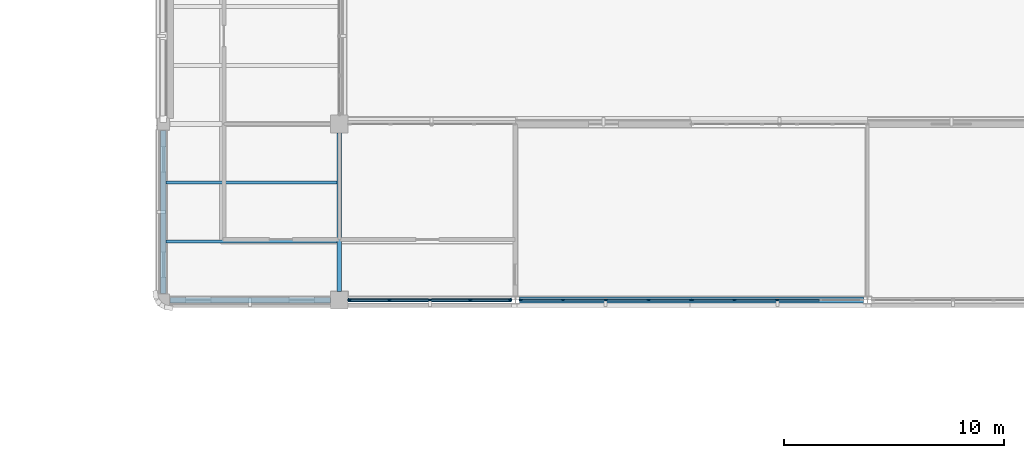
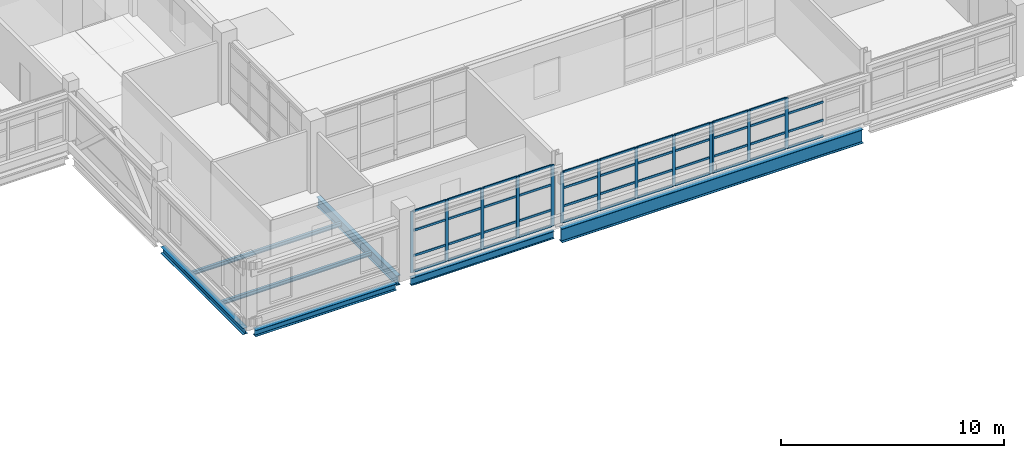
# One storey, part 18 of 107: 56 members, 7 beams, 3 elements without a shape of their own.
"""IFC4 building model written with IfcOpenShell, lengths in metres."""

from ifc_helpers import new_model, si_unit, derived_unit, direction, frame, origin, origin_2d, place, context, subcontext, project, spatial, rectangle, i_section, extrude, material, layer, layer_set, material_profile, profile_set, type_object, element, aggregate, save


model = new_model("IFC4")

# Units and contexts
model_context = context("Model", 3, precision=1e-05, world=origin(), true_north=direction((0.0, 1.0)))
body_context = subcontext(model_context, "Body", "Model", "MODEL_VIEW")
ifc_project = project(units=[si_unit("LENGTHUNIT", "METRE"), si_unit("AREAUNIT", "SQUARE_METRE"), si_unit("VOLUMEUNIT", "CUBIC_METRE"), si_unit("PLANEANGLEUNIT", "RADIAN"), si_unit("MASSUNIT", "GRAM", prefix="KILO"), derived_unit("THERMALTRANSMITTANCEUNIT", [(si_unit("MASSUNIT", "GRAM", prefix="KILO"), 1), (si_unit("TIMEUNIT", "SECOND"), -3), (si_unit("THERMODYNAMICTEMPERATUREUNIT", "KELVIN"), -1)])], contexts=[model_context])

# Site, building, storey
site_placement = place(None, origin())
site = spatial("IfcSite", under=ifc_project, at=site_placement, CompositionType="ELEMENT")
building_placement = place(site_placement, origin())
building = spatial("IfcBuilding", under=site, at=building_placement, Name="Veyamyaing Civic Hall", CompositionType="ELEMENT")
storey_placement = place(building_placement, frame((0.0, 0.0, 13.860107421875)))
storey = spatial("IfcBuildingStorey", under=building, at=storey_placement, Name="L03", CompositionType="ELEMENT", Elevation=13.860107421875)

# Beams
ifc_material_1 = material(Name="Steel ASTM A992", Category="steel")
ifc_material_profile_1 = material_profile(ifc_material_1, i_section(OverallWidth=0.208984375, OverallDepth=0.532958984375, WebThickness=0.01025390625, FlangeThickness=0.015625, FilletRadius=0.011962890625, at=origin_2d()), Name="W530X92")
ifc_profile_set_1 = profile_set([ifc_material_profile_1], Name="Steel ASTM A992")
beam_type_1 = type_object("IfcBeamType", Name="B-07", PredefinedType="BEAM", material=ifc_profile_set_1)
beam_1_placement = place(storey_placement, frame((72.0, 24.39990234375, -0.521728515625), z_axis=(0.0, 1.0, 0.0), x_axis=(-1.0, 0.0, 0.0)))
element("IfcBeam", 1, at=beam_1_placement, inside=storey, type_object=beam_type_1, Name="Girder B-07 L03 Grid 10 D-E", PredefinedType="BEAM", context=body_context, shape_type="SweptSolid", body=[
    extrude(i_section(OverallWidth=0.208984375, OverallDepth=0.532958984375, WebThickness=0.01025390625, FlangeThickness=0.015625, FilletRadius=0.011962890625, at=origin_2d()), origin(), (0.0, 0.0, 1.0), 7.2001953125),
])
ifc_material_profile_2 = material_profile(ifc_material_1, i_section(OverallWidth=0.179931640625, OverallDepth=0.4130859375, WebThickness=0.009765625, FlangeThickness=0.01611328125, FilletRadius=0.010009765625, at=origin_2d()), Name="W410X74")
ifc_profile_set_2 = profile_set([ifc_material_profile_2], Name="Steel ASTM A992")
beam_type_2 = type_object("IfcBeamType", Name="B-10", PredefinedType="SPANDREL", material=ifc_profile_set_2)
beam_2_placement = place(storey_placement, frame((72.39990234375, 24.0, -0.461669921875), z_axis=(1.0, 0.0, 0.0), x_axis=(0.0, 1.0, 0.0)))
element("IfcBeam", 2, at=beam_2_placement, inside=storey, type_object=beam_type_2, Name="Girder B-10 L03 Grid D 10-11", PredefinedType="SPANDREL", context=body_context, shape_type="SweptSolid", body=[
    extrude(i_section(OverallWidth=0.179931640625, OverallDepth=0.4130859375, WebThickness=0.009765625, FlangeThickness=0.01611328125, FilletRadius=0.010009765625, at=origin_2d()), origin(), (0.0, 0.0, 1.0), 7.41455078125),
])
ifc_material_profile_3 = material_profile(ifc_material_1, i_section(OverallWidth=0.26611328125, OverallDepth=0.758056640625, WebThickness=0.013916015625, FlangeThickness=0.019287109375, FilletRadius=0.01611328125, at=origin_2d()), Name="W760X161")
ifc_profile_set_3 = profile_set([ifc_material_profile_3], Name="Steel ASTM A992")
beam_type_3 = type_object("IfcBeamType", Name="B-13", PredefinedType="BEAM", material=ifc_profile_set_3)
beam_3_placement = place(storey_placement, frame((80.185546875, 24.0, -0.634033203125), z_axis=(1.0, 0.0, 0.0), x_axis=(0.0, 1.0, 0.0)))
element("IfcBeam", 3, at=beam_3_placement, inside=storey, type_object=beam_type_3, Name="Girder B-13 L03 Grid D 11-13", PredefinedType="BEAM", context=body_context, shape_type="SweptSolid", body=[
    extrude(i_section(OverallWidth=0.26611328125, OverallDepth=0.758056640625, WebThickness=0.013916015625, FlangeThickness=0.019287109375, FilletRadius=0.01611328125, at=origin_2d()), origin(), (0.0, 0.0, 1.0), 15.62890625),
])
ifc_material_profile_4 = material_profile(ifc_material_1, i_section(OverallWidth=0.25390625, OverallDepth=0.35302734375, WebThickness=0.009521484375, FlangeThickness=0.016357421875, FilletRadius=0.011962890625, at=origin_2d()), Name="W360X91")
ifc_profile_set_4 = profile_set([ifc_material_profile_4], Name="Steel ASTM A992")
beam_type_4 = type_object("IfcBeamType", Name="B-20", PredefinedType="SPANDREL", material=ifc_profile_set_4)
beam_4_placement = place(storey_placement, frame((64.300048828125, 24.0, -0.431640625), z_axis=(1.0, 0.0, 0.0), x_axis=(0.0, 1.0, 0.0)))
element("IfcBeam", 4, at=beam_4_placement, inside=storey, type_object=beam_type_4, Name="Girder B-20 L03 Grid D 9-10", PredefinedType="SPANDREL", context=body_context, shape_type="SweptSolid", body=[
    extrude(i_section(OverallWidth=0.25390625, OverallDepth=0.35302734375, WebThickness=0.009521484375, FlangeThickness=0.016357421875, FilletRadius=0.011962890625, at=origin_2d()), origin(), (0.0, 0.0, 1.0), 7.300048828125),
])
beam_5_placement = place(storey_placement, frame((64.0, 24.300048828125, -0.431640625), z_axis=(0.0, 1.0, 0.0), x_axis=(-1.0, 0.0, 0.0)))
element("IfcBeam", 5, at=beam_5_placement, inside=storey, type_object=beam_type_4, Name="Girder B-20 L03 Grid 9 D-E", PredefinedType="SPANDREL", context=body_context, shape_type="SweptSolid", body=[
    extrude(i_section(OverallWidth=0.25390625, OverallDepth=0.35302734375, WebThickness=0.009521484375, FlangeThickness=0.016357421875, FilletRadius=0.011962890625, at=origin_2d()), origin(), (0.0, 0.0, 1.0), 7.39990234375),
])

# Curtain wall, members
ifc_material_2 = material(Name="Anodised aluminium 6063-T6", Category="aluminium")
ifc_layer = layer(ifc_material_2, 0.159912109375, Name="Anodised aluminium 6063-T6")
ifc_layer_set = layer_set([ifc_layer], Name="Anodised aluminium 6063-T6")
curtain_wall_type = type_object("IfcCurtainWallType", Name="CW-07", PredefinedType="NOTDEFINED", material=ifc_layer_set)
curtain_wall_1_placement = place(storey_placement, origin())
curtain_wall_1 = element("IfcCurtainWall", 6, at=curtain_wall_1_placement, inside=storey, type_object=curtain_wall_type, Name="Unitized curtain wall CW-07 L03 S 10.4", PredefinedType="NOTDEFINED")
ifc_material_profile_5 = material_profile(ifc_material_2, rectangle(XDim=0.06494140625, YDim=0.159912109375, at=origin_2d()), Name="ALU-MUL-65X160")
ifc_profile_set_5 = profile_set([ifc_material_profile_5], Name="Anodised aluminium 6063-T6")
member_type_1 = type_object("IfcMemberType", Name="CWM-01", PredefinedType="MULLION", material=ifc_profile_set_5)
member_1_placement = place(storey_placement, frame((72.46240234375, 24.0, 0.0), z_axis=(0.0, 0.0, 1.0), x_axis=(0.0, 1.0, 0.0)))
member_1 = element("IfcMember", 7, at=member_1_placement, type_object=member_type_1, Name="CW-07 mullion 1", PredefinedType="MULLION", context=body_context, shape_type="SweptSolid", body=[
    extrude(rectangle(XDim=0.06494140625, YDim=0.159912109375, at=origin_2d()), origin(), (0.0, 0.0, 1.0), 3.36181640625),
])
member_2_placement = place(storey_placement, frame((74.268798828125, 24.0, 0.0), z_axis=(0.0, 0.0, 1.0), x_axis=(0.0, 1.0, 0.0)))
member_2 = element("IfcMember", 8, at=member_2_placement, type_object=member_type_1, Name="CW-07 mullion 2", PredefinedType="MULLION", context=body_context, shape_type="SweptSolid", body=[
    extrude(rectangle(XDim=0.06494140625, YDim=0.159912109375, at=origin_2d()), origin(), (0.0, 0.0, 1.0), 3.36181640625),
])
member_3_placement = place(storey_placement, frame((76.107666015625, 24.0, 0.0), z_axis=(0.0, 0.0, 1.0), x_axis=(0.0, 1.0, 0.0)))
member_3 = element("IfcMember", 9, at=member_3_placement, type_object=member_type_1, Name="CW-07 mullion 3", PredefinedType="MULLION", context=body_context, shape_type="SweptSolid", body=[
    extrude(rectangle(XDim=0.06494140625, YDim=0.159912109375, at=origin_2d()), origin(), (0.0, 0.0, 1.0), 3.36181640625),
])
member_4_placement = place(storey_placement, frame((77.946533203125, 24.0, 0.0), z_axis=(0.0, 0.0, 1.0), x_axis=(0.0, 1.0, 0.0)))
member_4 = element("IfcMember", 10, at=member_4_placement, type_object=member_type_1, Name="CW-07 mullion 4", PredefinedType="MULLION", context=body_context, shape_type="SweptSolid", body=[
    extrude(rectangle(XDim=0.06494140625, YDim=0.159912109375, at=origin_2d()), origin(), (0.0, 0.0, 1.0), 3.36181640625),
])
member_5_placement = place(storey_placement, frame((79.7529296875, 24.0, 0.0), z_axis=(0.0, 0.0, 1.0), x_axis=(0.0, 1.0, 0.0)))
member_5 = element("IfcMember", 11, at=member_5_placement, type_object=member_type_1, Name="CW-07 mullion 5", PredefinedType="MULLION", context=body_context, shape_type="SweptSolid", body=[
    extrude(rectangle(XDim=0.06494140625, YDim=0.159912109375, at=origin_2d()), origin(), (0.0, 0.0, 1.0), 3.36181640625),
])

curtain_wall_2_placement = place(storey_placement, origin())
curtain_wall_2 = element("IfcCurtainWall", 12, at=curtain_wall_2_placement, inside=storey, type_object=curtain_wall_type, Name="Unitized curtain wall CW-07 L03 S 11.4", PredefinedType="NOTDEFINED")
member_6_placement = place(storey_placement, frame((80.2470703125, 24.0, 0.0), z_axis=(0.0, 0.0, 1.0), x_axis=(0.0, 1.0, 0.0)))
member_6 = element("IfcMember", 13, at=member_6_placement, type_object=member_type_1, Name="CW-07 mullion 1", PredefinedType="MULLION", context=body_context, shape_type="SweptSolid", body=[
    extrude(rectangle(XDim=0.06494140625, YDim=0.159912109375, at=origin_2d()), origin(), (0.0, 0.0, 1.0), 2.788818359375),
])
member_7_placement = place(storey_placement, frame((82.160888671875, 24.0, 0.0), z_axis=(0.0, 0.0, 1.0), x_axis=(0.0, 1.0, 0.0)))
member_7 = element("IfcMember", 14, at=member_7_placement, type_object=member_type_1, Name="CW-07 mullion 2", PredefinedType="MULLION", context=body_context, shape_type="SweptSolid", body=[
    extrude(rectangle(XDim=0.06494140625, YDim=0.159912109375, at=origin_2d()), origin(), (0.0, 0.0, 1.0), 2.788818359375),
])
member_8_placement = place(storey_placement, frame((84.107177734375, 24.0, 0.0), z_axis=(0.0, 0.0, 1.0), x_axis=(0.0, 1.0, 0.0)))
member_8 = element("IfcMember", 15, at=member_8_placement, type_object=member_type_1, Name="CW-07 mullion 3", PredefinedType="MULLION", context=body_context, shape_type="SweptSolid", body=[
    extrude(rectangle(XDim=0.06494140625, YDim=0.159912109375, at=origin_2d()), origin(), (0.0, 0.0, 1.0), 2.788818359375),
])
member_9_placement = place(storey_placement, frame((86.0537109375, 24.0, 0.0), z_axis=(0.0, 0.0, 1.0), x_axis=(0.0, 1.0, 0.0)))
member_9 = element("IfcMember", 16, at=member_9_placement, type_object=member_type_1, Name="CW-07 mullion 4", PredefinedType="MULLION", context=body_context, shape_type="SweptSolid", body=[
    extrude(rectangle(XDim=0.06494140625, YDim=0.159912109375, at=origin_2d()), origin(), (0.0, 0.0, 1.0), 2.788818359375),
])
member_10_placement = place(storey_placement, frame((87.967529296875, 24.0, 0.0), z_axis=(0.0, 0.0, 1.0), x_axis=(0.0, 1.0, 0.0)))
member_10 = element("IfcMember", 17, at=member_10_placement, type_object=member_type_1, Name="CW-07 mullion 5", PredefinedType="MULLION", context=body_context, shape_type="SweptSolid", body=[
    extrude(rectangle(XDim=0.06494140625, YDim=0.159912109375, at=origin_2d()), origin(), (0.0, 0.0, 1.0), 2.788818359375),
])

curtain_wall_3_placement = place(storey_placement, origin())
curtain_wall_3 = element("IfcCurtainWall", 18, at=curtain_wall_3_placement, inside=storey, type_object=curtain_wall_type, Name="Unitized curtain wall CW-07 L03 S 12.4", PredefinedType="NOTDEFINED")
member_11_placement = place(storey_placement, frame((88.032470703125, 24.0, 0.0), z_axis=(0.0, 0.0, 1.0), x_axis=(0.0, 1.0, 0.0)))
member_11 = element("IfcMember", 19, at=member_11_placement, type_object=member_type_1, Name="CW-07 mullion 1", PredefinedType="MULLION", context=body_context, shape_type="SweptSolid", body=[
    extrude(rectangle(XDim=0.06494140625, YDim=0.159912109375, at=origin_2d()), origin(), (0.0, 0.0, 1.0), 2.788818359375),
])
member_12_placement = place(storey_placement, frame((89.9462890625, 24.0, 0.0), z_axis=(0.0, 0.0, 1.0), x_axis=(0.0, 1.0, 0.0)))
member_12 = element("IfcMember", 20, at=member_12_placement, type_object=member_type_1, Name="CW-07 mullion 2", PredefinedType="MULLION", context=body_context, shape_type="SweptSolid", body=[
    extrude(rectangle(XDim=0.06494140625, YDim=0.159912109375, at=origin_2d()), origin(), (0.0, 0.0, 1.0), 2.788818359375),
])
member_13_placement = place(storey_placement, frame((91.892822265625, 24.0, 0.0), z_axis=(0.0, 0.0, 1.0), x_axis=(0.0, 1.0, 0.0)))
member_13 = element("IfcMember", 21, at=member_13_placement, type_object=member_type_1, Name="CW-07 mullion 3", PredefinedType="MULLION", context=body_context, shape_type="SweptSolid", body=[
    extrude(rectangle(XDim=0.06494140625, YDim=0.159912109375, at=origin_2d()), origin(), (0.0, 0.0, 1.0), 2.788818359375),
])

# Member
ifc_material_profile_6 = material_profile(ifc_material_2, rectangle(XDim=0.06494140625, YDim=0.1201171875, at=origin_2d()), Name="ALU-TRN-65X120")
ifc_profile_set_6 = profile_set([ifc_material_profile_6], Name="Anodised aluminium 6063-T6")
member_type_2 = type_object("IfcMemberType", Name="CWT-01", PredefinedType="USERDEFINED", material=ifc_profile_set_6)
member_14_placement = place(storey_placement, frame((72.4951171875, 24.0, 0.032470703125), z_axis=(1.0, 0.0, 0.0), x_axis=(0.0, 1.0, 0.0)))
member_14 = element("IfcMember", 22, at=member_14_placement, type_object=member_type_2, Name="CW-07 transom 1.1", ObjectType="TRANSOM", PredefinedType="USERDEFINED", context=body_context, shape_type="SweptSolid", body=[
    extrude(rectangle(XDim=0.06494140625, YDim=0.1201171875, at=origin_2d()), origin(), (0.0, 0.0, 1.0), 1.7412109375),
])

member_15_placement = place(storey_placement, frame((72.4951171875, 24.0, 0.89990234375), z_axis=(1.0, 0.0, 0.0), x_axis=(0.0, 1.0, 0.0)))
member_15 = element("IfcMember", 23, at=member_15_placement, type_object=member_type_2, Name="CW-07 transom 1.2", ObjectType="TRANSOM", PredefinedType="USERDEFINED", context=body_context, shape_type="SweptSolid", body=[
    extrude(rectangle(XDim=0.06494140625, YDim=0.1201171875, at=origin_2d()), origin(), (0.0, 0.0, 1.0), 1.7412109375),
])

member_16_placement = place(storey_placement, frame((72.4951171875, 24.0, 2.2861328125), z_axis=(1.0, 0.0, 0.0), x_axis=(0.0, 1.0, 0.0)))
member_16 = element("IfcMember", 24, at=member_16_placement, type_object=member_type_2, Name="CW-07 transom 1.3", ObjectType="TRANSOM", PredefinedType="USERDEFINED", context=body_context, shape_type="SweptSolid", body=[
    extrude(rectangle(XDim=0.06494140625, YDim=0.1201171875, at=origin_2d()), origin(), (0.0, 0.0, 1.0), 1.7412109375),
])

member_17_placement = place(storey_placement, frame((72.4951171875, 24.0, 3.329345703125), z_axis=(1.0, 0.0, 0.0), x_axis=(0.0, 1.0, 0.0)))
member_17 = element("IfcMember", 25, at=member_17_placement, type_object=member_type_2, Name="CW-07 transom 1.4", ObjectType="TRANSOM", PredefinedType="USERDEFINED", context=body_context, shape_type="SweptSolid", body=[
    extrude(rectangle(XDim=0.06494140625, YDim=0.1201171875, at=origin_2d()), origin(), (0.0, 0.0, 1.0), 1.7412109375),
])

member_18_placement = place(storey_placement, frame((74.30126953125, 24.0, 0.032470703125), z_axis=(1.0, 0.0, 0.0), x_axis=(0.0, 1.0, 0.0)))
member_18 = element("IfcMember", 26, at=member_18_placement, type_object=member_type_2, Name="CW-07 transom 2.1", ObjectType="TRANSOM", PredefinedType="USERDEFINED", context=body_context, shape_type="SweptSolid", body=[
    extrude(rectangle(XDim=0.06494140625, YDim=0.1201171875, at=origin_2d()), origin(), (0.0, 0.0, 1.0), 1.77392578125),
])

member_19_placement = place(storey_placement, frame((74.30126953125, 24.0, 0.89990234375), z_axis=(1.0, 0.0, 0.0), x_axis=(0.0, 1.0, 0.0)))
member_19 = element("IfcMember", 27, at=member_19_placement, type_object=member_type_2, Name="CW-07 transom 2.2", ObjectType="TRANSOM", PredefinedType="USERDEFINED", context=body_context, shape_type="SweptSolid", body=[
    extrude(rectangle(XDim=0.06494140625, YDim=0.1201171875, at=origin_2d()), origin(), (0.0, 0.0, 1.0), 1.77392578125),
])

member_20_placement = place(storey_placement, frame((74.30126953125, 24.0, 2.2861328125), z_axis=(1.0, 0.0, 0.0), x_axis=(0.0, 1.0, 0.0)))
member_20 = element("IfcMember", 28, at=member_20_placement, type_object=member_type_2, Name="CW-07 transom 2.3", ObjectType="TRANSOM", PredefinedType="USERDEFINED", context=body_context, shape_type="SweptSolid", body=[
    extrude(rectangle(XDim=0.06494140625, YDim=0.1201171875, at=origin_2d()), origin(), (0.0, 0.0, 1.0), 1.77392578125),
])

member_21_placement = place(storey_placement, frame((74.30126953125, 24.0, 3.329345703125), z_axis=(1.0, 0.0, 0.0), x_axis=(0.0, 1.0, 0.0)))
member_21 = element("IfcMember", 29, at=member_21_placement, type_object=member_type_2, Name="CW-07 transom 2.4", ObjectType="TRANSOM", PredefinedType="USERDEFINED", context=body_context, shape_type="SweptSolid", body=[
    extrude(rectangle(XDim=0.06494140625, YDim=0.1201171875, at=origin_2d()), origin(), (0.0, 0.0, 1.0), 1.77392578125),
])

member_22_placement = place(storey_placement, frame((76.14013671875, 24.0, 0.032470703125), z_axis=(1.0, 0.0, 0.0), x_axis=(0.0, 1.0, 0.0)))
member_22 = element("IfcMember", 30, at=member_22_placement, type_object=member_type_2, Name="CW-07 transom 3.1", ObjectType="TRANSOM", PredefinedType="USERDEFINED", context=body_context, shape_type="SweptSolid", body=[
    extrude(rectangle(XDim=0.06494140625, YDim=0.1201171875, at=origin_2d()), origin(), (0.0, 0.0, 1.0), 1.77392578125),
])

member_23_placement = place(storey_placement, frame((76.14013671875, 24.0, 0.89990234375), z_axis=(1.0, 0.0, 0.0), x_axis=(0.0, 1.0, 0.0)))
member_23 = element("IfcMember", 31, at=member_23_placement, type_object=member_type_2, Name="CW-07 transom 3.2", ObjectType="TRANSOM", PredefinedType="USERDEFINED", context=body_context, shape_type="SweptSolid", body=[
    extrude(rectangle(XDim=0.06494140625, YDim=0.1201171875, at=origin_2d()), origin(), (0.0, 0.0, 1.0), 1.77392578125),
])

member_24_placement = place(storey_placement, frame((76.14013671875, 24.0, 2.2861328125), z_axis=(1.0, 0.0, 0.0), x_axis=(0.0, 1.0, 0.0)))
member_24 = element("IfcMember", 32, at=member_24_placement, type_object=member_type_2, Name="CW-07 transom 3.3", ObjectType="TRANSOM", PredefinedType="USERDEFINED", context=body_context, shape_type="SweptSolid", body=[
    extrude(rectangle(XDim=0.06494140625, YDim=0.1201171875, at=origin_2d()), origin(), (0.0, 0.0, 1.0), 1.77392578125),
])

member_25_placement = place(storey_placement, frame((76.14013671875, 24.0, 3.329345703125), z_axis=(1.0, 0.0, 0.0), x_axis=(0.0, 1.0, 0.0)))
member_25 = element("IfcMember", 33, at=member_25_placement, type_object=member_type_2, Name="CW-07 transom 3.4", ObjectType="TRANSOM", PredefinedType="USERDEFINED", context=body_context, shape_type="SweptSolid", body=[
    extrude(rectangle(XDim=0.06494140625, YDim=0.1201171875, at=origin_2d()), origin(), (0.0, 0.0, 1.0), 1.77392578125),
])

member_26_placement = place(storey_placement, frame((77.97900390625, 24.0, 0.032470703125), z_axis=(1.0, 0.0, 0.0), x_axis=(0.0, 1.0, 0.0)))
member_26 = element("IfcMember", 34, at=member_26_placement, type_object=member_type_2, Name="CW-07 transom 4.1", ObjectType="TRANSOM", PredefinedType="USERDEFINED", context=body_context, shape_type="SweptSolid", body=[
    extrude(rectangle(XDim=0.06494140625, YDim=0.1201171875, at=origin_2d()), origin(), (0.0, 0.0, 1.0), 1.741455078125),
])

member_27_placement = place(storey_placement, frame((77.97900390625, 24.0, 0.89990234375), z_axis=(1.0, 0.0, 0.0), x_axis=(0.0, 1.0, 0.0)))
member_27 = element("IfcMember", 35, at=member_27_placement, type_object=member_type_2, Name="CW-07 transom 4.2", ObjectType="TRANSOM", PredefinedType="USERDEFINED", context=body_context, shape_type="SweptSolid", body=[
    extrude(rectangle(XDim=0.06494140625, YDim=0.1201171875, at=origin_2d()), origin(), (0.0, 0.0, 1.0), 1.741455078125),
])

member_28_placement = place(storey_placement, frame((77.97900390625, 24.0, 2.2861328125), z_axis=(1.0, 0.0, 0.0), x_axis=(0.0, 1.0, 0.0)))
member_28 = element("IfcMember", 36, at=member_28_placement, type_object=member_type_2, Name="CW-07 transom 4.3", ObjectType="TRANSOM", PredefinedType="USERDEFINED", context=body_context, shape_type="SweptSolid", body=[
    extrude(rectangle(XDim=0.06494140625, YDim=0.1201171875, at=origin_2d()), origin(), (0.0, 0.0, 1.0), 1.741455078125),
])

member_29_placement = place(storey_placement, frame((77.97900390625, 24.0, 3.329345703125), z_axis=(1.0, 0.0, 0.0), x_axis=(0.0, 1.0, 0.0)))
member_29 = element("IfcMember", 37, at=member_29_placement, type_object=member_type_2, Name="CW-07 transom 4.4", ObjectType="TRANSOM", PredefinedType="USERDEFINED", context=body_context, shape_type="SweptSolid", body=[
    extrude(rectangle(XDim=0.06494140625, YDim=0.1201171875, at=origin_2d()), origin(), (0.0, 0.0, 1.0), 1.741455078125),
])

aggregate(curtain_wall_1, [member_1, member_2, member_3, member_4, member_5, member_14, member_15, member_16, member_17, member_18, member_19, member_20, member_21, member_22, member_23, member_24, member_25, member_26, member_27, member_28, member_29])

member_30_placement = place(storey_placement, frame((80.279541015625, 24.0, 0.032470703125), z_axis=(1.0, 0.0, 0.0), x_axis=(0.0, 1.0, 0.0)))
member_30 = element("IfcMember", 38, at=member_30_placement, type_object=member_type_2, Name="CW-07 transom 1.1", ObjectType="TRANSOM", PredefinedType="USERDEFINED", context=body_context, shape_type="SweptSolid", body=[
    extrude(rectangle(XDim=0.06494140625, YDim=0.1201171875, at=origin_2d()), origin(), (0.0, 0.0, 1.0), 1.848876953125),
])

member_31_placement = place(storey_placement, frame((80.279541015625, 24.0, 0.89990234375), z_axis=(1.0, 0.0, 0.0), x_axis=(0.0, 1.0, 0.0)))
member_31 = element("IfcMember", 39, at=member_31_placement, type_object=member_type_2, Name="CW-07 transom 1.2", ObjectType="TRANSOM", PredefinedType="USERDEFINED", context=body_context, shape_type="SweptSolid", body=[
    extrude(rectangle(XDim=0.06494140625, YDim=0.1201171875, at=origin_2d()), origin(), (0.0, 0.0, 1.0), 1.848876953125),
])

member_32_placement = place(storey_placement, frame((80.279541015625, 24.0, 1.896484375), z_axis=(1.0, 0.0, 0.0), x_axis=(0.0, 1.0, 0.0)))
member_32 = element("IfcMember", 40, at=member_32_placement, type_object=member_type_2, Name="CW-07 transom 1.3", ObjectType="TRANSOM", PredefinedType="USERDEFINED", context=body_context, shape_type="SweptSolid", body=[
    extrude(rectangle(XDim=0.06494140625, YDim=0.1201171875, at=origin_2d()), origin(), (0.0, 0.0, 1.0), 1.848876953125),
])

member_33_placement = place(storey_placement, frame((80.279541015625, 24.0, 2.75634765625), z_axis=(1.0, 0.0, 0.0), x_axis=(0.0, 1.0, 0.0)))
member_33 = element("IfcMember", 41, at=member_33_placement, type_object=member_type_2, Name="CW-07 transom 1.4", ObjectType="TRANSOM", PredefinedType="USERDEFINED", context=body_context, shape_type="SweptSolid", body=[
    extrude(rectangle(XDim=0.06494140625, YDim=0.1201171875, at=origin_2d()), origin(), (0.0, 0.0, 1.0), 1.848876953125),
])

member_34_placement = place(storey_placement, frame((82.193359375, 24.0, 0.032470703125), z_axis=(1.0, 0.0, 0.0), x_axis=(0.0, 1.0, 0.0)))
member_34 = element("IfcMember", 42, at=member_34_placement, type_object=member_type_2, Name="CW-07 transom 2.1", ObjectType="TRANSOM", PredefinedType="USERDEFINED", context=body_context, shape_type="SweptSolid", body=[
    extrude(rectangle(XDim=0.06494140625, YDim=0.1201171875, at=origin_2d()), origin(), (0.0, 0.0, 1.0), 1.88134765625),
])

member_35_placement = place(storey_placement, frame((82.193359375, 24.0, 0.89990234375), z_axis=(1.0, 0.0, 0.0), x_axis=(0.0, 1.0, 0.0)))
member_35 = element("IfcMember", 43, at=member_35_placement, type_object=member_type_2, Name="CW-07 transom 2.2", ObjectType="TRANSOM", PredefinedType="USERDEFINED", context=body_context, shape_type="SweptSolid", body=[
    extrude(rectangle(XDim=0.06494140625, YDim=0.1201171875, at=origin_2d()), origin(), (0.0, 0.0, 1.0), 1.88134765625),
])

member_36_placement = place(storey_placement, frame((82.193359375, 24.0, 1.896484375), z_axis=(1.0, 0.0, 0.0), x_axis=(0.0, 1.0, 0.0)))
member_36 = element("IfcMember", 44, at=member_36_placement, type_object=member_type_2, Name="CW-07 transom 2.3", ObjectType="TRANSOM", PredefinedType="USERDEFINED", context=body_context, shape_type="SweptSolid", body=[
    extrude(rectangle(XDim=0.06494140625, YDim=0.1201171875, at=origin_2d()), origin(), (0.0, 0.0, 1.0), 1.88134765625),
])

member_37_placement = place(storey_placement, frame((82.193359375, 24.0, 2.75634765625), z_axis=(1.0, 0.0, 0.0), x_axis=(0.0, 1.0, 0.0)))
member_37 = element("IfcMember", 45, at=member_37_placement, type_object=member_type_2, Name="CW-07 transom 2.4", ObjectType="TRANSOM", PredefinedType="USERDEFINED", context=body_context, shape_type="SweptSolid", body=[
    extrude(rectangle(XDim=0.06494140625, YDim=0.1201171875, at=origin_2d()), origin(), (0.0, 0.0, 1.0), 1.88134765625),
])

member_38_placement = place(storey_placement, frame((84.1396484375, 24.0, 0.032470703125), z_axis=(1.0, 0.0, 0.0), x_axis=(0.0, 1.0, 0.0)))
member_38 = element("IfcMember", 46, at=member_38_placement, type_object=member_type_2, Name="CW-07 transom 3.1", ObjectType="TRANSOM", PredefinedType="USERDEFINED", context=body_context, shape_type="SweptSolid", body=[
    extrude(rectangle(XDim=0.06494140625, YDim=0.1201171875, at=origin_2d()), origin(), (0.0, 0.0, 1.0), 1.881591796875),
])

member_39_placement = place(storey_placement, frame((84.1396484375, 24.0, 0.89990234375), z_axis=(1.0, 0.0, 0.0), x_axis=(0.0, 1.0, 0.0)))
member_39 = element("IfcMember", 47, at=member_39_placement, type_object=member_type_2, Name="CW-07 transom 3.2", ObjectType="TRANSOM", PredefinedType="USERDEFINED", context=body_context, shape_type="SweptSolid", body=[
    extrude(rectangle(XDim=0.06494140625, YDim=0.1201171875, at=origin_2d()), origin(), (0.0, 0.0, 1.0), 1.881591796875),
])

member_40_placement = place(storey_placement, frame((84.1396484375, 24.0, 1.896484375), z_axis=(1.0, 0.0, 0.0), x_axis=(0.0, 1.0, 0.0)))
member_40 = element("IfcMember", 48, at=member_40_placement, type_object=member_type_2, Name="CW-07 transom 3.3", ObjectType="TRANSOM", PredefinedType="USERDEFINED", context=body_context, shape_type="SweptSolid", body=[
    extrude(rectangle(XDim=0.06494140625, YDim=0.1201171875, at=origin_2d()), origin(), (0.0, 0.0, 1.0), 1.881591796875),
])

member_41_placement = place(storey_placement, frame((84.1396484375, 24.0, 2.75634765625), z_axis=(1.0, 0.0, 0.0), x_axis=(0.0, 1.0, 0.0)))
member_41 = element("IfcMember", 49, at=member_41_placement, type_object=member_type_2, Name="CW-07 transom 3.4", ObjectType="TRANSOM", PredefinedType="USERDEFINED", context=body_context, shape_type="SweptSolid", body=[
    extrude(rectangle(XDim=0.06494140625, YDim=0.1201171875, at=origin_2d()), origin(), (0.0, 0.0, 1.0), 1.881591796875),
])

member_42_placement = place(storey_placement, frame((86.086181640625, 24.0, 0.032470703125), z_axis=(1.0, 0.0, 0.0), x_axis=(0.0, 1.0, 0.0)))
member_42 = element("IfcMember", 50, at=member_42_placement, type_object=member_type_2, Name="CW-07 transom 4.1", ObjectType="TRANSOM", PredefinedType="USERDEFINED", context=body_context, shape_type="SweptSolid", body=[
    extrude(rectangle(XDim=0.06494140625, YDim=0.1201171875, at=origin_2d()), origin(), (0.0, 0.0, 1.0), 1.848876953125),
])

member_43_placement = place(storey_placement, frame((86.086181640625, 24.0, 0.89990234375), z_axis=(1.0, 0.0, 0.0), x_axis=(0.0, 1.0, 0.0)))
member_43 = element("IfcMember", 51, at=member_43_placement, type_object=member_type_2, Name="CW-07 transom 4.2", ObjectType="TRANSOM", PredefinedType="USERDEFINED", context=body_context, shape_type="SweptSolid", body=[
    extrude(rectangle(XDim=0.06494140625, YDim=0.1201171875, at=origin_2d()), origin(), (0.0, 0.0, 1.0), 1.848876953125),
])

member_44_placement = place(storey_placement, frame((86.086181640625, 24.0, 1.896484375), z_axis=(1.0, 0.0, 0.0), x_axis=(0.0, 1.0, 0.0)))
member_44 = element("IfcMember", 52, at=member_44_placement, type_object=member_type_2, Name="CW-07 transom 4.3", ObjectType="TRANSOM", PredefinedType="USERDEFINED", context=body_context, shape_type="SweptSolid", body=[
    extrude(rectangle(XDim=0.06494140625, YDim=0.1201171875, at=origin_2d()), origin(), (0.0, 0.0, 1.0), 1.848876953125),
])

member_45_placement = place(storey_placement, frame((86.086181640625, 24.0, 2.75634765625), z_axis=(1.0, 0.0, 0.0), x_axis=(0.0, 1.0, 0.0)))
member_45 = element("IfcMember", 53, at=member_45_placement, type_object=member_type_2, Name="CW-07 transom 4.4", ObjectType="TRANSOM", PredefinedType="USERDEFINED", context=body_context, shape_type="SweptSolid", body=[
    extrude(rectangle(XDim=0.06494140625, YDim=0.1201171875, at=origin_2d()), origin(), (0.0, 0.0, 1.0), 1.848876953125),
])

aggregate(curtain_wall_2, [member_6, member_7, member_8, member_9, member_10, member_30, member_31, member_32, member_33, member_34, member_35, member_36, member_37, member_38, member_39, member_40, member_41, member_42, member_43, member_44, member_45])

member_46_placement = place(storey_placement, frame((88.06494140625, 24.0, 0.032470703125), z_axis=(1.0, 0.0, 0.0), x_axis=(0.0, 1.0, 0.0)))
member_46 = element("IfcMember", 54, at=member_46_placement, type_object=member_type_2, Name="CW-07 transom 1.1", ObjectType="TRANSOM", PredefinedType="USERDEFINED", context=body_context, shape_type="SweptSolid", body=[
    extrude(rectangle(XDim=0.06494140625, YDim=0.1201171875, at=origin_2d()), origin(), (0.0, 0.0, 1.0), 1.848876953125),
])

member_47_placement = place(storey_placement, frame((88.06494140625, 24.0, 0.89990234375), z_axis=(1.0, 0.0, 0.0), x_axis=(0.0, 1.0, 0.0)))
member_47 = element("IfcMember", 55, at=member_47_placement, type_object=member_type_2, Name="CW-07 transom 1.2", ObjectType="TRANSOM", PredefinedType="USERDEFINED", context=body_context, shape_type="SweptSolid", body=[
    extrude(rectangle(XDim=0.06494140625, YDim=0.1201171875, at=origin_2d()), origin(), (0.0, 0.0, 1.0), 1.848876953125),
])

member_48_placement = place(storey_placement, frame((88.06494140625, 24.0, 1.896484375), z_axis=(1.0, 0.0, 0.0), x_axis=(0.0, 1.0, 0.0)))
member_48 = element("IfcMember", 56, at=member_48_placement, type_object=member_type_2, Name="CW-07 transom 1.3", ObjectType="TRANSOM", PredefinedType="USERDEFINED", context=body_context, shape_type="SweptSolid", body=[
    extrude(rectangle(XDim=0.06494140625, YDim=0.1201171875, at=origin_2d()), origin(), (0.0, 0.0, 1.0), 1.848876953125),
])

member_49_placement = place(storey_placement, frame((88.06494140625, 24.0, 2.75634765625), z_axis=(1.0, 0.0, 0.0), x_axis=(0.0, 1.0, 0.0)))
member_49 = element("IfcMember", 57, at=member_49_placement, type_object=member_type_2, Name="CW-07 transom 1.4", ObjectType="TRANSOM", PredefinedType="USERDEFINED", context=body_context, shape_type="SweptSolid", body=[
    extrude(rectangle(XDim=0.06494140625, YDim=0.1201171875, at=origin_2d()), origin(), (0.0, 0.0, 1.0), 1.848876953125),
])

member_50_placement = place(storey_placement, frame((89.978759765625, 24.0, 0.032470703125), z_axis=(1.0, 0.0, 0.0), x_axis=(0.0, 1.0, 0.0)))
member_50 = element("IfcMember", 58, at=member_50_placement, type_object=member_type_2, Name="CW-07 transom 2.1", ObjectType="TRANSOM", PredefinedType="USERDEFINED", context=body_context, shape_type="SweptSolid", body=[
    extrude(rectangle(XDim=0.06494140625, YDim=0.1201171875, at=origin_2d()), origin(), (0.0, 0.0, 1.0), 1.881591796875),
])

member_51_placement = place(storey_placement, frame((89.978759765625, 24.0, 0.89990234375), z_axis=(1.0, 0.0, 0.0), x_axis=(0.0, 1.0, 0.0)))
member_51 = element("IfcMember", 59, at=member_51_placement, type_object=member_type_2, Name="CW-07 transom 2.2", ObjectType="TRANSOM", PredefinedType="USERDEFINED", context=body_context, shape_type="SweptSolid", body=[
    extrude(rectangle(XDim=0.06494140625, YDim=0.1201171875, at=origin_2d()), origin(), (0.0, 0.0, 1.0), 1.881591796875),
])

member_52_placement = place(storey_placement, frame((89.978759765625, 24.0, 1.896484375), z_axis=(1.0, 0.0, 0.0), x_axis=(0.0, 1.0, 0.0)))
member_52 = element("IfcMember", 60, at=member_52_placement, type_object=member_type_2, Name="CW-07 transom 2.3", ObjectType="TRANSOM", PredefinedType="USERDEFINED", context=body_context, shape_type="SweptSolid", body=[
    extrude(rectangle(XDim=0.06494140625, YDim=0.1201171875, at=origin_2d()), origin(), (0.0, 0.0, 1.0), 1.881591796875),
])

member_53_placement = place(storey_placement, frame((89.978759765625, 24.0, 2.75634765625), z_axis=(1.0, 0.0, 0.0), x_axis=(0.0, 1.0, 0.0)))
member_53 = element("IfcMember", 61, at=member_53_placement, type_object=member_type_2, Name="CW-07 transom 2.4", ObjectType="TRANSOM", PredefinedType="USERDEFINED", context=body_context, shape_type="SweptSolid", body=[
    extrude(rectangle(XDim=0.06494140625, YDim=0.1201171875, at=origin_2d()), origin(), (0.0, 0.0, 1.0), 1.881591796875),
])

member_54_placement = place(storey_placement, frame((91.92529296875, 24.0, 0.032470703125), z_axis=(1.0, 0.0, 0.0), x_axis=(0.0, 1.0, 0.0)))
member_54 = element("IfcMember", 62, at=member_54_placement, type_object=member_type_2, Name="CW-07 transom 3.1", ObjectType="TRANSOM", PredefinedType="USERDEFINED", context=body_context, shape_type="SweptSolid", body=[
    extrude(rectangle(XDim=0.06494140625, YDim=0.1201171875, at=origin_2d()), origin(), (0.0, 0.0, 1.0), 1.88134765625),
])

member_55_placement = place(storey_placement, frame((91.92529296875, 24.0, 0.89990234375), z_axis=(1.0, 0.0, 0.0), x_axis=(0.0, 1.0, 0.0)))
member_55 = element("IfcMember", 63, at=member_55_placement, type_object=member_type_2, Name="CW-07 transom 3.2", ObjectType="TRANSOM", PredefinedType="USERDEFINED", context=body_context, shape_type="SweptSolid", body=[
    extrude(rectangle(XDim=0.06494140625, YDim=0.1201171875, at=origin_2d()), origin(), (0.0, 0.0, 1.0), 1.88134765625),
])

member_56_placement = place(storey_placement, frame((91.92529296875, 24.0, 1.896484375), z_axis=(1.0, 0.0, 0.0), x_axis=(0.0, 1.0, 0.0)))
member_56 = element("IfcMember", 64, at=member_56_placement, type_object=member_type_2, Name="CW-07 transom 3.3", ObjectType="TRANSOM", PredefinedType="USERDEFINED", context=body_context, shape_type="SweptSolid", body=[
    extrude(rectangle(XDim=0.06494140625, YDim=0.1201171875, at=origin_2d()), origin(), (0.0, 0.0, 1.0), 1.88134765625),
])

aggregate(curtain_wall_3, [member_11, member_12, member_13, member_46, member_47, member_48, member_49, member_50, member_51, member_52, member_53, member_54, member_55, member_56])

# Beams
ifc_material_profile_7 = material_profile(ifc_material_1, i_section(OverallWidth=0.133056640625, OverallDepth=0.20703125, WebThickness=0.005859375, FlangeThickness=0.00830078125, FilletRadius=0.010009765625, at=origin_2d()), Name="W200X27")
ifc_profile_set_7 = profile_set([ifc_material_profile_7], Name="Steel ASTM A992")
beam_type_5 = type_object("IfcBeamType", Name="J-08", PredefinedType="JOIST", material=ifc_profile_set_7)
for number, where, z_axis, x_axis, name in (
    (65, (64.125, 26.666748046875, -0.358642578125), (1.0, 0.0, 0.0), (0.0, 1.0, 0.0), "Composite floor joist J-08 L03 9.4.1"),
    (66, (64.125, 29.333251953125, -0.358642578125), (1.0, 0.0, 0.0), (0.0, 1.0, 0.0), "Composite floor joist J-08 L03 9.4.2"),
):
    element("IfcBeam", number, at=place(storey_placement, frame(where, z_axis=z_axis, x_axis=x_axis)), inside=storey, type_object=beam_type_5, Name=name, PredefinedType="JOIST", context=body_context, shape_type="SweptSolid", body=[
        extrude(i_section(OverallWidth=0.133056640625, OverallDepth=0.20703125, WebThickness=0.005859375, FlangeThickness=0.00830078125, FilletRadius=0.010009765625, at=origin_2d()), origin(), (0.0, 0.0, 1.0), 7.7724609375),
    ])

save(model, "model.ifc")
